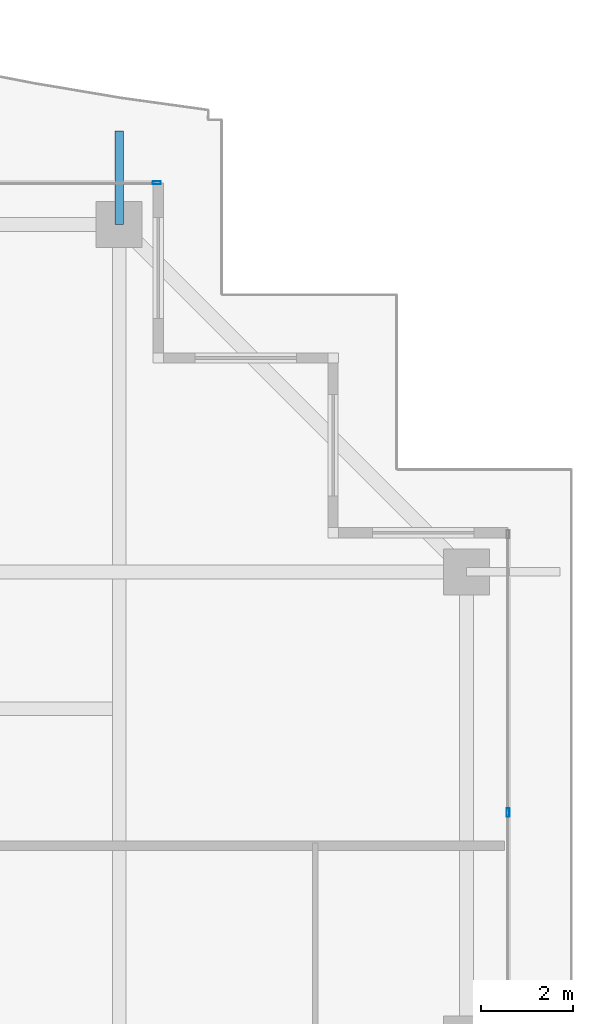
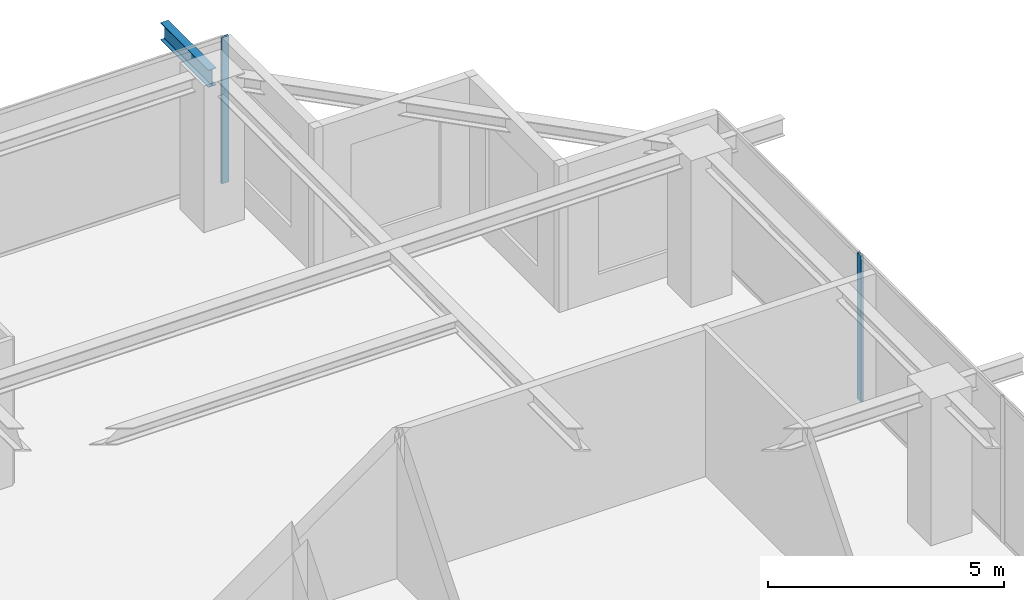
# One storey, part 23 of 37: 2 members, 1 beam, 2 elements without a shape of their own.
"""IFC4 building model written with IfcOpenShell, lengths in metres."""

import ifcopenshell
import ifcopenshell.guid

model = None  # the IFC model being written
_history = None  # IfcOwnerHistory: only IFC2X3 demands one
_inside = {}  # id of a spatial element -> (the spatial element, [elements in it])
_under = {}  # id of a project, library or spatial element -> (it, [spatial elements below it])
_declared = {}  # id of a project -> (the project, [libraries it declares])
_typed = {}  # id of a type object -> (the type object, [elements of that type])
_made_of = {}  # id of a material, layer set ... -> (it, [elements and type objects made of it])


def new_model(schema):
    """Start an empty IFC model of exactly this schema.

    Asked for "IFC4X3", IfcOpenShell would pick the latest addendum, in which some entities
    have other attributes; the version numbers below select the first issue.
    IFC2X3 requires an IfcOwnerHistory on every rooted entity: one is made here for all.
    """
    global model, _history
    if schema == "IFC4X3":
        model = ifcopenshell.file(schema_version=(4, 3, 0, 0))
    else:
        model = ifcopenshell.file(schema=schema)
    _inside.clear()
    _under.clear()
    _declared.clear()
    _typed.clear()
    _made_of.clear()
    _history = None
    if model.schema == "IFC2X3":
        org = make("IfcOrganization", Name="unknown")
        user = make(
            "IfcPersonAndOrganization",
            ThePerson=make("IfcPerson", FamilyName="unknown"),
            TheOrganization=org,
        )
        app = make(
            "IfcApplication",
            ApplicationDeveloper=org,
            Version="unknown",
            ApplicationFullName="unknown",
            ApplicationIdentifier="unknown",
        )
        _history = make(
            "IfcOwnerHistory",
            OwningUser=user,
            OwningApplication=app,
            ChangeAction="ADDED",
            CreationDate=0,
        )
    return model


def make(cls, **values):
    """One entity of the class cls with the attributes given. An attribute that is None is left unset."""
    return model.create_entity(
        cls, **{name: value for name, value in values.items() if value is not None}
    )


def rooted(cls, **values):
    """An entity with a GlobalId (a new one), such as an element, a storey or a relation."""
    return make(cls, GlobalId=ifcopenshell.guid.new(), OwnerHistory=_history, **values)


def si_unit(unit_type, name, prefix=None):
    """IfcSIUnit, for example si_unit("LENGTHUNIT", "METRE", prefix="MILLI")."""
    return make("IfcSIUnit", UnitType=unit_type, Prefix=prefix, Name=name)


def assignment(units):
    """IfcUnitAssignment: the units of a project."""
    return None if units is None else make("IfcUnitAssignment", Units=units)


def point(xyz):
    """IfcCartesianPoint."""
    return None if xyz is None else make("IfcCartesianPoint", Coordinates=xyz)


def direction(xyz):
    """IfcDirection."""
    return None if xyz is None else make("IfcDirection", DirectionRatios=xyz)


def frame(location, z_axis=None, x_axis=None):
    """IfcAxis2Placement3D, a coordinate frame: its origin and axes. An axis left out is left unset."""
    return make(
        "IfcAxis2Placement3D",
        Location=point(location),
        Axis=direction(z_axis),
        RefDirection=direction(x_axis),
    )


def frame_2d(location, x_axis=None):
    """IfcAxis2Placement2D, a coordinate frame in the plane: its origin and x axis."""
    return make(
        "IfcAxis2Placement2D", Location=point(location), RefDirection=direction(x_axis)
    )


def origin():
    """The frame at (0, 0, 0) with its axes left unset."""
    return frame((0.0, 0.0, 0.0))


def origin_2d():
    """The frame at (0, 0) in the plane with its x axis left unset."""
    return frame_2d((0.0, 0.0))


def place(relative_to, where):
    """IfcLocalPlacement: puts the frame where relative to a parent placement (None: the world)."""
    return make(
        "IfcLocalPlacement", PlacementRelTo=relative_to, RelativePlacement=where
    )


def context(
    kind, dimensions, precision=None, world=None, true_north=None, identifier=None
):
    """IfcGeometricRepresentationContext, for example the 3D "Model" context."""
    return make(
        "IfcGeometricRepresentationContext",
        ContextIdentifier=identifier,
        ContextType=kind,
        CoordinateSpaceDimension=dimensions,
        Precision=precision,
        WorldCoordinateSystem=world,
        TrueNorth=true_north,
    )


def subcontext(parent, identifier, kind, view, scale=None):
    """IfcGeometricRepresentationSubContext, for example "Body" below "Model"."""
    return make(
        "IfcGeometricRepresentationSubContext",
        ContextIdentifier=identifier,
        ContextType=kind,
        ParentContext=parent,
        TargetScale=scale,
        TargetView=view,
    )


def project(units=None, contexts=None):
    """IfcProject with its units and contexts."""
    return rooted(
        "IfcProject",
        Name="project",
        RepresentationContexts=contexts,
        UnitsInContext=assignment(units),
    )


def spatial(cls, under=None, at=None, **own):
    """A site, building, storey or space (cls), placed at a placement, below another one or the project."""
    s = rooted(cls, ObjectPlacement=at, **own)
    if under is not None:
        _under.setdefault(under.id(), (under, []))[1].append(s)
    return s


def profile(cls, at=None, kind="AREA", **sizes):
    """A parametric profile (cls). Its sizes go by their IFC names, for example OverallWidth=200.0."""
    return make(cls, ProfileType=kind, Position=at, **sizes)


def hollow_rectangle(**sizes):
    """IfcRectangleHollowProfileDef."""
    return profile("IfcRectangleHollowProfileDef", **sizes)


def i_section(**sizes):
    """IfcIShapeProfileDef."""
    return profile("IfcIShapeProfileDef", **sizes)


def extrude(swept, where, along, depth):
    """IfcExtrudedAreaSolid: the profile swept, set in the frame where, extruded along a direction by depth."""
    return make(
        "IfcExtrudedAreaSolid",
        SweptArea=swept,
        Position=where,
        ExtrudedDirection=direction(along),
        Depth=depth,
    )


def shape(context_of_items, identifier, shape_type, items):
    """IfcShapeRepresentation: the items that make up one representation, for example the "Body"."""
    return make(
        "IfcShapeRepresentation",
        ContextOfItems=context_of_items,
        RepresentationIdentifier=identifier,
        RepresentationType=shape_type,
        Items=items,
    )


def source(mapping_origin, context_of_items, identifier, shape_type, items):
    """IfcRepresentationMap: a shape defined once, which mapped items show again and again."""
    return make(
        "IfcRepresentationMap",
        MappingOrigin=mapping_origin,
        MappedRepresentation=shape(context_of_items, identifier, shape_type, items),
    )


def transform(
    local_origin,
    x_axis=None,
    y_axis=None,
    z_axis=None,
    scale=None,
    scale2=None,
    scale3=None,
    uniform=True,
):
    """IfcCartesianTransformationOperator3D, or its non-uniform kind. x_axis, y_axis, z_axis: its Axis1, 2, 3."""
    if uniform:
        return make(
            "IfcCartesianTransformationOperator3D",
            Axis1=direction(x_axis),
            Axis2=direction(y_axis),
            LocalOrigin=point(local_origin),
            Scale=scale,
            Axis3=direction(z_axis),
        )
    return make(
        "IfcCartesianTransformationOperator3DnonUniform",
        Axis1=direction(x_axis),
        Axis2=direction(y_axis),
        LocalOrigin=point(local_origin),
        Scale=scale,
        Axis3=direction(z_axis),
        Scale2=scale2,
        Scale3=scale3,
    )


def mapped(mapping_source, mapping_target):
    """IfcMappedItem: shows the shape of a source again, moved by a transform."""
    return make(
        "IfcMappedItem", MappingSource=mapping_source, MappingTarget=mapping_target
    )


def material(Name=None, Category=None):
    """IfcMaterial."""
    return make("IfcMaterial", Name=Name, Category=Category)


def layer(
    of_material, thickness, ventilated=None, Name=None, Category=None, Priority=None
):
    """IfcMaterialLayer: one layer of a wall or slab, of a material (None: an air gap)."""
    return make(
        "IfcMaterialLayer",
        Material=of_material,
        LayerThickness=thickness,
        IsVentilated=ventilated,
        Name=Name,
        Category=Category,
        Priority=Priority,
    )


def layer_set(layers, Name=None):
    """IfcMaterialLayerSet."""
    return make("IfcMaterialLayerSet", MaterialLayers=layers, LayerSetName=Name)


def material_profile(
    of_material, cross_section, Name=None, Category=None, Priority=None
):
    """IfcMaterialProfile: a cross section and its material."""
    return make(
        "IfcMaterialProfile",
        Name=Name,
        Material=of_material,
        Profile=cross_section,
        Priority=Priority,
        Category=Category,
    )


def profile_set(profiles, Name=None, composite=None):
    """IfcMaterialProfileSet."""
    return make(
        "IfcMaterialProfileSet",
        Name=Name,
        MaterialProfiles=profiles,
        CompositeProfile=composite,
    )


def made_of(thing, what):
    """Note that an element or type object is made of a material, layer set ...; save() writes the relation."""
    if what is not None:
        _made_of.setdefault(what.id(), (what, []))[1].append(thing)
    return thing


def type_object(cls, material=None, **own):
    """A type object (cls), such as IfcWallType, which elements share."""
    return made_of(rooted(cls, **own), material)


def element(
    cls,
    number,
    at=None,
    inside=None,
    cuts=None,
    type_object=None,
    material=None,
    context=None,
    identifier="Body",
    shape_type=None,
    held_by="IfcProductDefinitionShape",
    body=None,
    shapes=None,
    **own,
):
    """One element of the class cls, such as IfcWall. Its Tag is "e" and its number.

    at: its placement. inside: the storey or other place that contains it. cuts: it is an
    opening in that element (IfcRelVoidsElement). A single representation is given by context,
    identifier, shape_type and body (its items); several are given by shapes. held_by: the class
    of the entity that holds the representations. save() writes the other relations.
    """
    e = rooted(cls, Tag="e%d" % number, ObjectPlacement=at, **own)
    if body is not None:
        shapes = [shape(context, identifier, shape_type, body)]
    if shapes is not None:
        e.Representation = make(held_by, Representations=shapes)
    if inside is not None:
        _inside.setdefault(inside.id(), (inside, []))[1].append(e)
    if cuts is not None:
        rooted(
            "IfcRelVoidsElement", RelatingBuildingElement=cuts, RelatedOpeningElement=e
        )
    if type_object is not None:
        _typed.setdefault(type_object.id(), (type_object, []))[1].append(e)
    return made_of(e, material)


def aggregate(whole, parts):
    """IfcRelAggregates: a whole, such as a stair, and the parts it consists of."""
    return rooted("IfcRelAggregates", RelatingObject=whole, RelatedObjects=parts)


def save(model, path):
    """Write the relations noted so far, then the file.

    IfcRelAggregates (storeys below a building ...), IfcRelContainedInSpatialStructure (elements
    in a storey), IfcRelDefinesByType, IfcRelAssociatesMaterial and IfcRelDeclares: one each for
    every whole, place, type object, material and project.
    """
    for whole, parts in _under.values():
        aggregate(whole, parts)
    for where, things in _inside.values():
        rooted(
            "IfcRelContainedInSpatialStructure",
            RelatedElements=things,
            RelatingStructure=where,
        )
    for kind, things in _typed.values():
        rooted("IfcRelDefinesByType", RelatedObjects=things, RelatingType=kind)
    for what, things in _made_of.values():
        rooted("IfcRelAssociatesMaterial", RelatedObjects=things, RelatingMaterial=what)
    for by, libraries in _declared.values():
        rooted("IfcRelDeclares", RelatingContext=by, RelatedDefinitions=libraries)
    model.write(path)


model = new_model("IFC4")

# Units and contexts
model_context = context("Model", 3, precision=1e-05, world=origin(), true_north=direction((0.0, 1.0)))
body_context = subcontext(model_context, "Body", "Model", "MODEL_VIEW")
ifc_project = project(units=[si_unit("LENGTHUNIT", "METRE"), si_unit("AREAUNIT", "SQUARE_METRE"), si_unit("VOLUMEUNIT", "CUBIC_METRE"), si_unit("PLANEANGLEUNIT", "RADIAN"), si_unit("MASSUNIT", "GRAM", prefix="KILO")], contexts=[model_context])

# Site, building, storey
site_placement = place(None, origin())
site = spatial("IfcSite", under=ifc_project, at=site_placement, CompositionType="ELEMENT")
building_placement = place(site_placement, origin())
building = spatial("IfcBuilding", under=site, at=building_placement, Name="Serunith Strait Residences", CompositionType="ELEMENT")
storey_placement = place(building_placement, frame((0.0, 0.0, 317.75)))
storey = spatial("IfcBuildingStorey", under=building, at=storey_placement, Name="L79", CompositionType="ELEMENT", Elevation=317.75)

# Beam
ifc_material_1 = material(Name="Steel S355J2", Category="steel")
ifc_material_profile_1 = material_profile(ifc_material_1, i_section(OverallWidth=0.18994140625, OverallDepth=0.449951171875, WebThickness=0.009521484375, FlangeThickness=0.0146484375, FilletRadius=0.02099609375, at=origin_2d()), Name="IPE 450")
ifc_profile_set_1 = profile_set([ifc_material_profile_1], Name="Steel S355J2")
beam_type = type_object("IfcBeamType", Name="BM-IPE450", PredefinedType="JOIST", material=ifc_profile_set_1)
shared_shape_1 = source(origin(), body_context, "Body", "SweptSolid", [
    extrude(i_section(OverallWidth=0.18994140625, OverallDepth=0.449951171875, WebThickness=0.009521484375, FlangeThickness=0.0146484375, FilletRadius=0.02099609375, at=origin_2d()), origin(), (0.0, 0.0, 1.0), 2.02978515625),
])
beam_placement = place(storey_placement, frame((47.14990234375, 47.10009765625, 3.531982421875), z_axis=(0.0, 1.0, 0.0), x_axis=(-1.0, 0.0, 0.0)))
element("IfcBeam", 1, at=beam_placement, inside=storey, type_object=beam_type, Name="L80 Cantilevered Balcony Rib TC-N4", PredefinedType="JOIST", context=body_context, shape_type="MappedRepresentation", body=[
    mapped(shared_shape_1, transform((0.0, 0.0, 0.0), scale=1.0)),
])

# Curtain wall, member
ifc_material_2 = material(Name="Brushed Stainless-Silver Aluminium", Category="aluminium")
ifc_layer = layer(ifc_material_2, 0.199951171875, Name="Brushed Stainless-Silver Aluminium")
ifc_layer_set = layer_set([ifc_layer], Name="Brushed Stainless-Silver Aluminium")
curtain_wall_type = type_object("IfcCurtainWallType", Name="CW-SYS5", PredefinedType="NOTDEFINED", material=ifc_layer_set)
curtain_wall_1_placement = place(storey_placement, origin())
curtain_wall_1 = element("IfcCurtainWall", 2, at=curtain_wall_1_placement, inside=storey, type_object=curtain_wall_type, Name="L79 E Unitised Fritted Curtain Wall", PredefinedType="NOTDEFINED")
ifc_material_profile_2 = material_profile(ifc_material_2, hollow_rectangle(XDim=0.06494140625, YDim=0.179931640625, WallThickness=0.00341796875, InnerFilletRadius=0.00537109375, OuterFilletRadius=0.0087890625, at=origin_2d()), Name="ALU 180x65x3.5")
ifc_profile_set_2 = profile_set([ifc_material_profile_2], Name="Brushed Stainless-Silver Aluminium")
member_type = type_object("IfcMemberType", Name="CW-SYS5-MULL", PredefinedType="MULLION", material=ifc_profile_set_2)
shared_shape_2 = source(origin(), body_context, "Body", "SweptSolid", [
    extrude(hollow_rectangle(XDim=0.06494140625, YDim=0.179931640625, WallThickness=0.00341796875, InnerFilletRadius=0.00537109375, OuterFilletRadius=0.0087890625, at=origin_2d()), origin(), (0.0, 0.0, 1.0), 3.77490234375),
])
member_1_placement = place(storey_placement, frame((55.60009765625, 34.320068359375, 0.0), z_axis=(0.0, 0.0, 1.0), x_axis=(-1.0, 0.0, 0.0)))
member_1 = element("IfcMember", 3, at=member_1_placement, type_object=member_type, Name="CW-5 mullion 5", PredefinedType="MULLION", context=body_context, shape_type="MappedRepresentation", body=[
    mapped(shared_shape_2, transform((0.0, 0.0, 0.0), scale=1.0)),
])
aggregate(curtain_wall_1, [member_1])

curtain_wall_2_placement = place(storey_placement, origin())
curtain_wall_2 = element("IfcCurtainWall", 4, at=curtain_wall_2_placement, inside=storey, type_object=curtain_wall_type, Name="L79 N Unitised Fritted Curtain Wall", PredefinedType="NOTDEFINED")
member_2_placement = place(storey_placement, frame((47.967529296875, 48.0, 0.0), z_axis=(0.0, 0.0, 1.0), x_axis=(0.0, -1.0, 0.0)))
member_2 = element("IfcMember", 5, at=member_2_placement, type_object=member_type, Name="CW-5 mullion 1", PredefinedType="MULLION", context=body_context, shape_type="MappedRepresentation", body=[
    mapped(shared_shape_2, transform((0.0, 0.0, 0.0), scale=1.0)),
])
aggregate(curtain_wall_2, [member_2])

save(model, "model.ifc")
